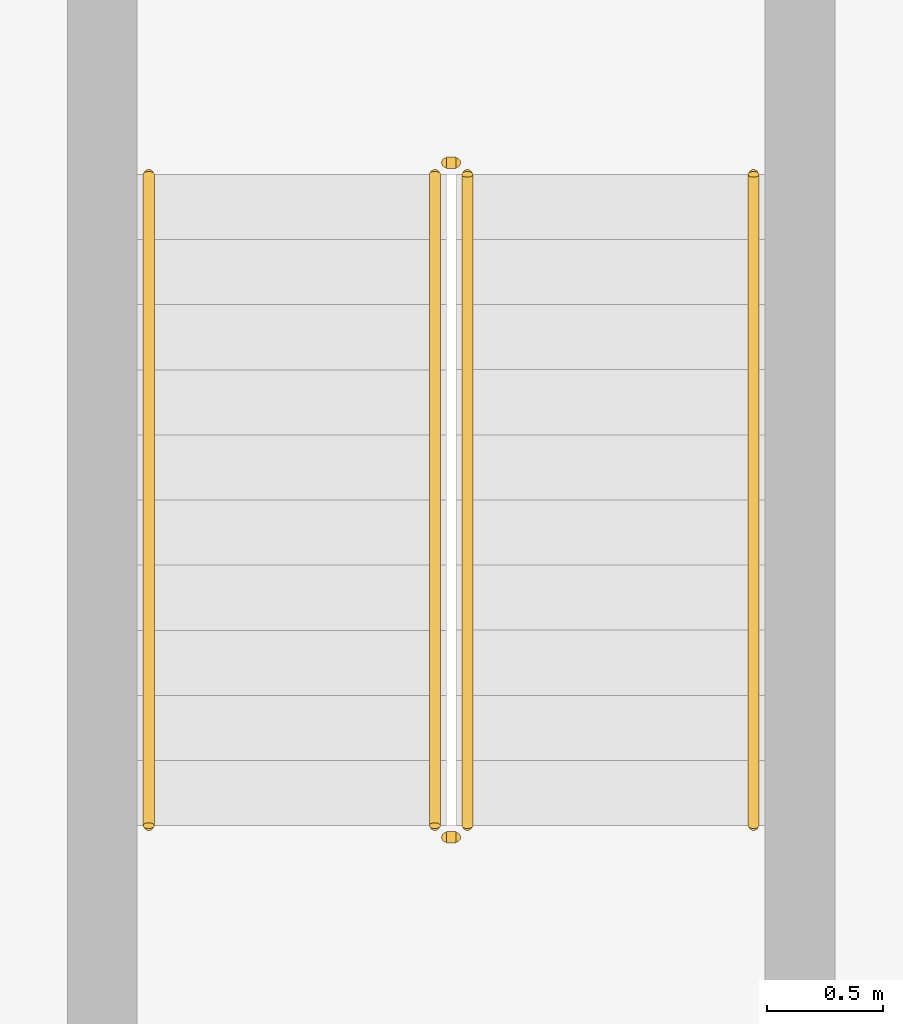
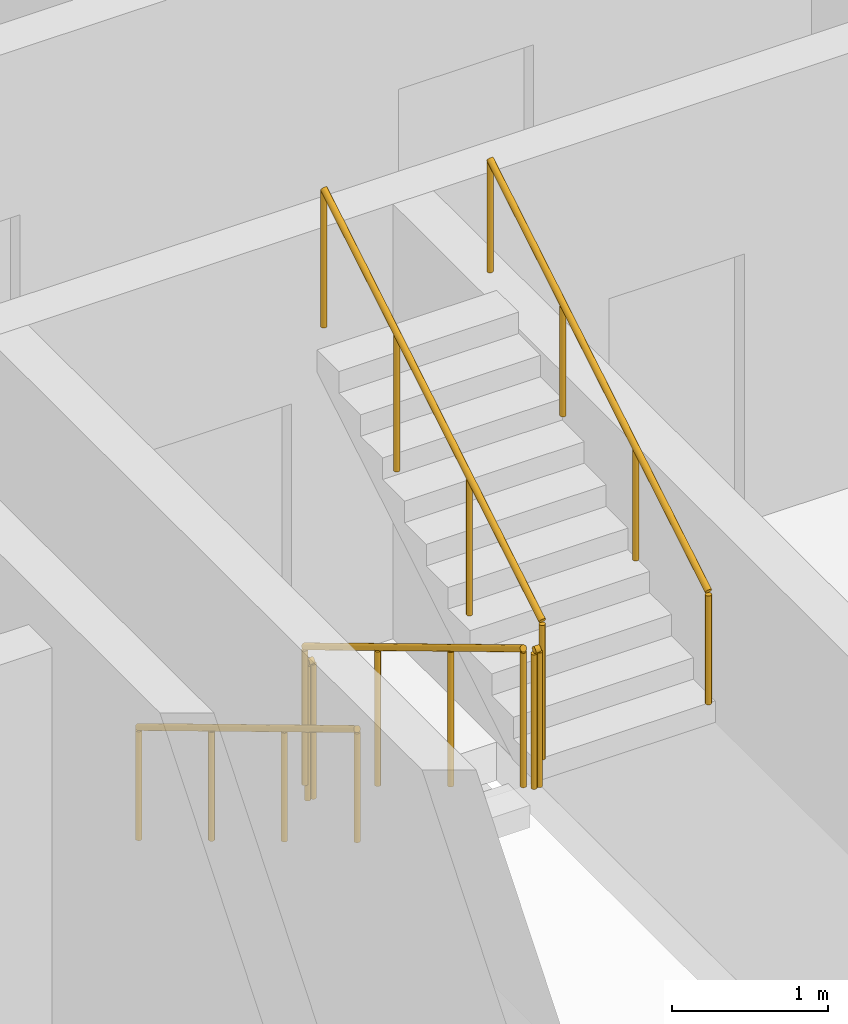
# One storey, part 31 of 33: 6 railings.
"""IFC4 building model written with IfcOpenShell, lengths in metres."""

from ifc_helpers import new_model, si_unit, direction, frame, origin, origin_2d, place, context, subcontext, project, spatial, circle, extrude, material, type_object, element, save


model = new_model("IFC4")

# Units and contexts
model_context = context("Model", 3, precision=1e-05, world=origin(), true_north=direction((0.0, 1.0)))
body_context = subcontext(model_context, "Body", "Model", "MODEL_VIEW")
ifc_project = project(units=[si_unit("LENGTHUNIT", "METRE"), si_unit("AREAUNIT", "SQUARE_METRE"), si_unit("VOLUMEUNIT", "CUBIC_METRE"), si_unit("PLANEANGLEUNIT", "RADIAN"), si_unit("MASSUNIT", "GRAM", prefix="KILO")], contexts=[model_context])

# Site, building, storey
site_placement = place(None, origin())
site = spatial("IfcSite", under=ifc_project, at=site_placement, CompositionType="ELEMENT")
building_placement = place(site_placement, origin())
building = spatial("IfcBuilding", under=site, at=building_placement, Name="Ogive Portal Towers", CompositionType="ELEMENT")
storey_placement = place(building_placement, frame((0.0, 0.0, 101.89990234375)))
storey = spatial("IfcBuildingStorey", under=building, at=storey_placement, Name="L24", CompositionType="ELEMENT", Elevation=101.89990234375)

# Railings
ifc_material_1 = material(Name="Stainless steel balustrade", Category="steel")
railing_type_1 = type_object("IfcRailingType", Name="INT-GUARD", PredefinedType="GUARDRAIL", material=ifc_material_1)
railing_1_placement = place(storey_placement, frame((88.280029296875, 29.169921875, 0.168212890625)))
element("IfcRailing", 1, at=railing_1_placement, inside=storey, type_object=railing_type_1, Name="L24 ST-A4 stair guard 1", PredefinedType="GUARDRAIL", context=body_context, shape_type="SweptSolid", body=[
    extrude(circle(Radius=0.02392578125, at=origin_2d()), frame((0.0, 0.0, 1.076171875), z_axis=(0.0, -0.857222391501, 0.514946377315), x_axis=(1.0, 0.0, 0.0)), (0.0, 0.0, 1.0), 3.26611328125),
    extrude(circle(Radius=0.02099609375, at=origin_2d()), origin(), (0.0, 0.0, 1.0), 1.052001953125),
    extrude(circle(Radius=0.02099609375, at=origin_2d()), frame((0.0, -0.933349609375, 0.560546875)), (0.0, 0.0, 1.0), 1.052001953125),
    extrude(circle(Radius=0.02099609375, at=origin_2d()), frame((0.0, -1.866455078125, 1.121337890625)), (0.0, 0.0, 1.0), 1.052001953125),
    extrude(circle(Radius=0.02099609375, at=origin_2d()), frame((0.0, -2.7998046875, 1.681884765625)), (0.0, 0.0, 1.0), 1.052001953125),
])
railing_2_placement = place(storey_placement, frame((88.330078125, 26.320068359375, 1.85009765625)))
element("IfcRailing", 2, at=railing_2_placement, inside=storey, type_object=railing_type_1, Name="L24 ST-A4 stair guard 2", PredefinedType="GUARDRAIL", context=body_context, shape_type="SweptSolid", body=[
    extrude(circle(Radius=0.02392578125, at=origin_2d()), frame((0.0, 0.0, 1.076171875), z_axis=(1.0, 0.0, 0.0), x_axis=(0.0, 1.0, 0.0)), (0.0, 0.0, 1.0), 0.0400390625),
    extrude(circle(Radius=0.02099609375, at=origin_2d()), origin(), (0.0, 0.0, 1.0), 1.052001953125),
    extrude(circle(Radius=0.02099609375, at=origin_2d()), frame((0.0400390625, 0.0, 0.0)), (0.0, 0.0, 1.0), 1.052001953125),
])
railing_3_placement = place(storey_placement, frame((88.419921875, 26.3701171875, 2.018310546875)))
element("IfcRailing", 3, at=railing_3_placement, inside=storey, type_object=railing_type_1, Name="L24 ST-A4 stair guard 3", PredefinedType="GUARDRAIL", context=body_context, shape_type="SweptSolid", body=[
    extrude(circle(Radius=0.02392578125, at=origin_2d()), frame((0.0, 0.0, 1.076171875), z_axis=(0.0, 0.857222391501, 0.514946377315), x_axis=(-1.0, 0.0, 0.0)), (0.0, 0.0, 1.0), 3.26611328125),
    extrude(circle(Radius=0.02099609375, at=origin_2d()), origin(), (0.0, 0.0, 1.0), 1.052001953125),
    extrude(circle(Radius=0.02099609375, at=origin_2d()), frame((0.0, 0.933349609375, 0.560546875)), (0.0, 0.0, 1.0), 1.052001953125),
    extrude(circle(Radius=0.02099609375, at=origin_2d()), frame((0.0, 1.866455078125, 1.121337890625)), (0.0, 0.0, 1.0), 1.052001953125),
    extrude(circle(Radius=0.02099609375, at=origin_2d()), frame((0.0, 2.7998046875, 1.681884765625)), (0.0, 0.0, 1.0), 1.052001953125),
])
railing_4_placement = place(storey_placement, frame((88.330078125, 29.219970703125, 0.0)))
element("IfcRailing", 4, at=railing_4_placement, inside=storey, type_object=railing_type_1, Name="L24 ST-A4 stair guard 4", PredefinedType="GUARDRAIL", context=body_context, shape_type="SweptSolid", body=[
    extrude(circle(Radius=0.02392578125, at=origin_2d()), frame((0.0, 0.0, 1.076171875), z_axis=(1.0, 0.0, 0.0), x_axis=(0.0, 1.0, 0.0)), (0.0, 0.0, 1.0), 0.0400390625),
    extrude(circle(Radius=0.02099609375, at=origin_2d()), origin(), (0.0, 0.0, 1.0), 1.052001953125),
    extrude(circle(Radius=0.02099609375, at=origin_2d()), frame((0.0400390625, 0.0, 0.0)), (0.0, 0.0, 1.0), 1.052001953125),
])
ifc_material_2 = material(Name="Stainless steel handrail", Category="steel")
railing_type_2 = type_object("IfcRailingType", Name="INT-HANDRAIL", PredefinedType="HANDRAIL", material=ifc_material_2)
railing_5_placement = place(storey_placement, frame((87.050048828125, 29.169921875, 0.168212890625)))
element("IfcRailing", 5, at=railing_5_placement, inside=storey, type_object=railing_type_2, Name="L24 ST-A4 stair handrail 1", PredefinedType="HANDRAIL", context=body_context, shape_type="SweptSolid", body=[
    extrude(circle(Radius=0.02392578125, at=origin_2d()), frame((0.0, 0.0, 0.8759765625), z_axis=(0.0, -0.857222391501, 0.514946377315), x_axis=(1.0, 0.0, 0.0)), (0.0, 0.0, 1.0), 3.26611328125),
    extrude(circle(Radius=0.02099609375, at=origin_2d()), origin(), (0.0, 0.0, 1.0), 0.851806640625),
    extrude(circle(Radius=0.02099609375, at=origin_2d()), frame((0.0, -0.933349609375, 0.560546875)), (0.0, 0.0, 1.0), 0.851806640625),
    extrude(circle(Radius=0.02099609375, at=origin_2d()), frame((0.0, -1.866455078125, 1.121337890625)), (0.0, 0.0, 1.0), 0.851806640625),
    extrude(circle(Radius=0.02099609375, at=origin_2d()), frame((0.0, -2.7998046875, 1.681884765625)), (0.0, 0.0, 1.0), 0.851806640625),
])
railing_6_placement = place(storey_placement, frame((89.64990234375, 26.3701171875, 2.018310546875)))
element("IfcRailing", 6, at=railing_6_placement, inside=storey, type_object=railing_type_2, Name="L24 ST-A4 stair handrail 2", PredefinedType="HANDRAIL", context=body_context, shape_type="SweptSolid", body=[
    extrude(circle(Radius=0.02392578125, at=origin_2d()), frame((0.0, 0.0, 0.8759765625), z_axis=(0.0, 0.857222391501, 0.514946377315), x_axis=(-1.0, 0.0, 0.0)), (0.0, 0.0, 1.0), 3.26611328125),
    extrude(circle(Radius=0.02099609375, at=origin_2d()), origin(), (0.0, 0.0, 1.0), 0.851806640625),
    extrude(circle(Radius=0.02099609375, at=origin_2d()), frame((0.0, 0.933349609375, 0.560546875)), (0.0, 0.0, 1.0), 0.851806640625),
    extrude(circle(Radius=0.02099609375, at=origin_2d()), frame((0.0, 1.866455078125, 1.121337890625)), (0.0, 0.0, 1.0), 0.851806640625),
    extrude(circle(Radius=0.02099609375, at=origin_2d()), frame((0.0, 2.7998046875, 1.681884765625)), (0.0, 0.0, 1.0), 0.851806640625),
])

save(model, "model.ifc")
